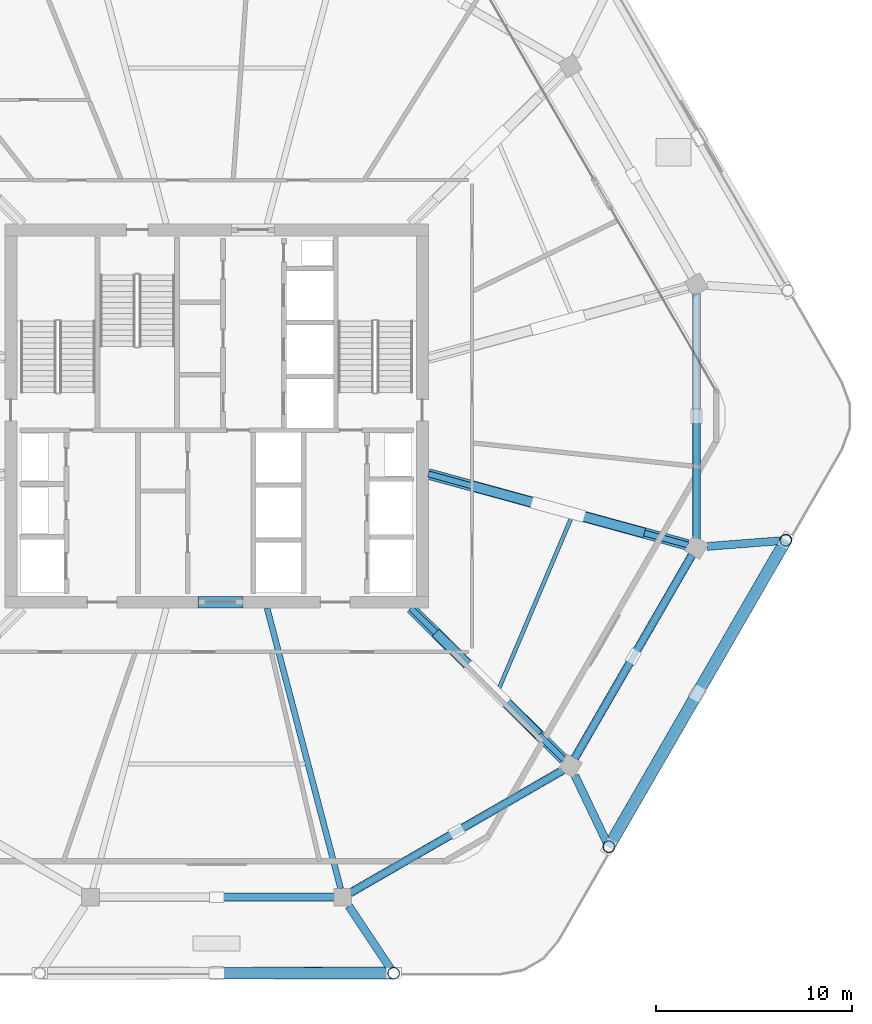
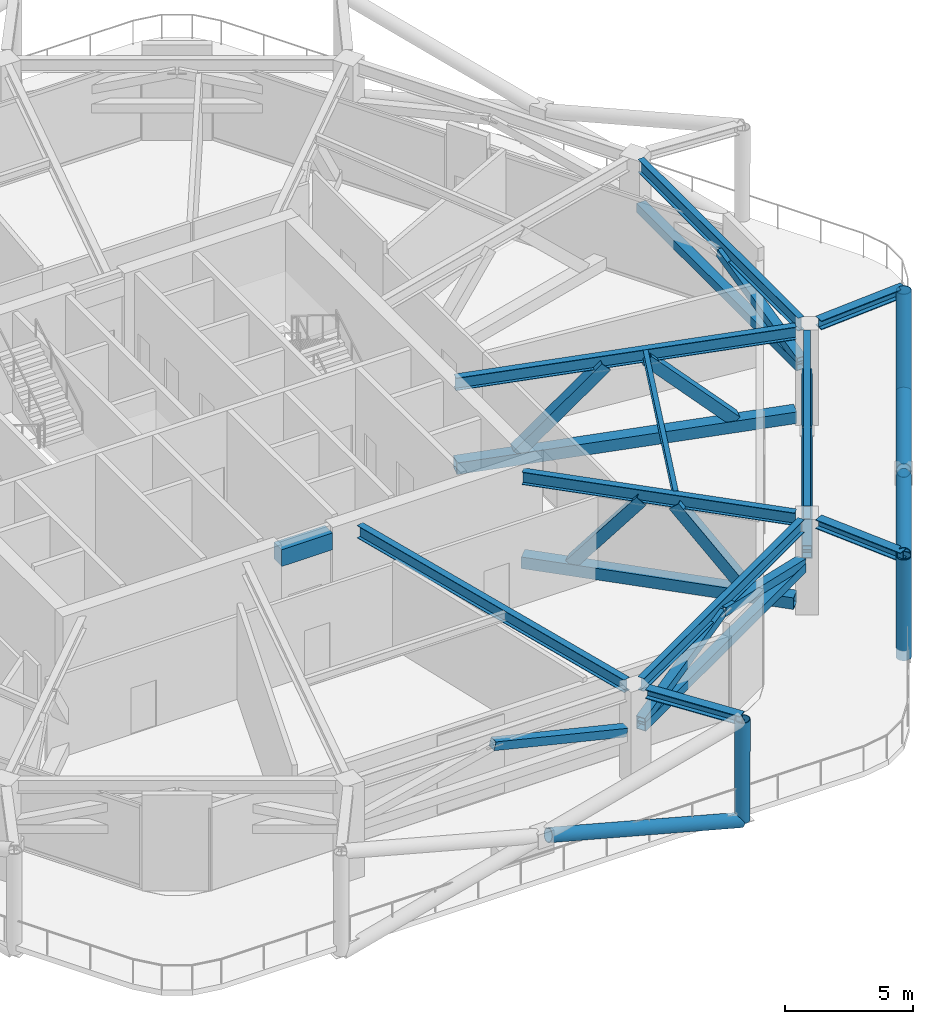
# One storey, part 5 of 20: 22 members, 11 beams.
"""IFC4 building model written with IfcOpenShell, lengths in metres."""

from ifc_helpers import new_model, si_unit, direction, frame, origin, origin_2d, place, context, subcontext, project, spatial, rectangle, hollow_rectangle, hollow_circle, i_section, extrude, material, material_profile, profile_set, type_object, element, save


model = new_model("IFC4")

# Units and contexts
model_context = context("Model", 3, precision=1e-05, world=origin(), true_north=direction((0.0, 1.0)))
body_context = subcontext(model_context, "Body", "Model", "MODEL_VIEW")
ifc_project = project(units=[si_unit("LENGTHUNIT", "METRE"), si_unit("AREAUNIT", "SQUARE_METRE"), si_unit("VOLUMEUNIT", "CUBIC_METRE"), si_unit("PLANEANGLEUNIT", "RADIAN"), si_unit("MASSUNIT", "GRAM", prefix="KILO")], contexts=[model_context])

# Site, building, storey
site_placement = place(None, origin())
site = spatial("IfcSite", under=ifc_project, at=site_placement, CompositionType="ELEMENT")
building_placement = place(site_placement, origin())
building = spatial("IfcBuilding", under=site, at=building_placement, Name="Zuhravey Tower", CompositionType="ELEMENT")
storey_placement = place(building_placement, frame((0.0, 0.0, 226.39990234375)))
storey = spatial("IfcBuildingStorey", under=building, at=storey_placement, Name="L57", CompositionType="ELEMENT", Elevation=226.39990234375)

# Members
ifc_material_1 = material(Name="Steel SM355", Category="steel")
ifc_material_profile_1 = material_profile(ifc_material_1, hollow_rectangle(XDim=0.419921875, YDim=0.419921875, WallThickness=0.028076171875, at=origin_2d()), Name="RHS-420x420x28")
ifc_profile_set_1 = profile_set([ifc_material_profile_1], Name="Steel SM355")
member_type_1 = type_object("IfcMemberType", Name="Belt Truss Chord RHS420x420", PredefinedType="CHORD", material=ifc_profile_set_1)
member_1_placement = place(storey_placement, frame((42.8349609375, 7.673828125, 2.27001953125), z_axis=(0.866024429177, 0.500001688065, 0.0), x_axis=(-0.500001688065, 0.866024429177, 0.0)))
element("IfcMember", 1, at=member_1_placement, inside=storey, type_object=member_type_1, Name="L57 Belt Truss Bottom Chord BTC1-09", PredefinedType="CHORD", context=body_context, shape_type="SweptSolid", body=[
    extrude(hollow_rectangle(XDim=0.419921875, YDim=0.419921875, WallThickness=0.028076171875, at=origin_2d()), origin(), (0.0, 0.0, 1.0), 12.48779296875),
])
member_2_placement = place(storey_placement, frame((54.27099609375, 14.539306640625, 2.27001953125), z_axis=(0.500019018537, 0.866014423149, 0.0), x_axis=(-0.866014423149, 0.500019018537, 0.0)))
element("IfcMember", 2, at=member_2_placement, inside=storey, type_object=member_type_1, Name="L57 Belt Truss Bottom Chord BTC1-10", PredefinedType="CHORD", context=body_context, shape_type="SweptSolid", body=[
    extrude(hollow_rectangle(XDim=0.419921875, YDim=0.419921875, WallThickness=0.028076171875, at=origin_2d()), origin(), (0.0, 0.0, 1.0), 11.9716796875),
])
member_3_placement = place(storey_placement, frame((60.484619140625, 25.756103515625, 2.27001953125), z_axis=(0.0, 1.0, 0.0), x_axis=(-1.0, 0.0, 0.0)))
element("IfcMember", 3, at=member_3_placement, inside=storey, type_object=member_type_1, Name="L57 Belt Truss Bottom Chord BTC1-11", PredefinedType="CHORD", context=body_context, shape_type="SweptSolid", body=[
    extrude(hollow_rectangle(XDim=0.419921875, YDim=0.419921875, WallThickness=0.028076171875, at=origin_2d()), origin(), (0.0, 0.0, 1.0), 12.48779296875),
])
ifc_material_profile_2 = material_profile(ifc_material_1, hollow_rectangle(XDim=0.39990234375, YDim=0.39990234375, WallThickness=0.02490234375, at=origin_2d()), Name="RHS-400x400x25")
ifc_profile_set_2 = profile_set([ifc_material_profile_2], Name="Steel SM355")
member_type_2 = type_object("IfcMemberType", Name="Belt Truss Diagonal RHS400x400", PredefinedType="BRACE", material=ifc_profile_set_2)
member_4_placement = place(storey_placement, frame((41.971435546875, 7.4462890625, 2.49365234375), z_axis=(-0.972261804388, 0.0, 0.233895240926), x_axis=(0.0, -1.0, 0.0)))
element("IfcMember", 4, at=member_4_placement, inside=storey, type_object=member_type_2, Name="L57 Belt Truss Diagonal BTD1-08.2", PredefinedType="BRACE", context=body_context, shape_type="SweptSolid", body=[
    extrude(hollow_rectangle(XDim=0.39990234375, YDim=0.39990234375, WallThickness=0.02490234375, at=origin_2d()), origin(), (0.0, 0.0, 1.0), 6.11669921875),
])
member_5_placement = place(storey_placement, frame((42.84765625, 7.68115234375, 2.493408203125), z_axis=(0.843861073225, 0.487223376581, 0.224748460302), x_axis=(-0.50001536203, 0.866016534331, 0.0)))
element("IfcMember", 5, at=member_5_placement, inside=storey, type_object=member_type_2, Name="L57 Belt Truss Diagonal BTD1-09.1", PredefinedType="BRACE", context=body_context, shape_type="SweptSolid", body=[
    extrude(hollow_rectangle(XDim=0.39990234375, YDim=0.39990234375, WallThickness=0.02490234375, at=origin_2d()), origin(), (0.0, 0.0, 1.0), 6.36767578125),
])
member_6_placement = place(storey_placement, frame((53.636962890625, 13.910400390625, 2.493408203125), z_axis=(-0.843872110687, -0.487207613585, 0.22474118908), x_axis=(0.499998324629, -0.866026371058, 0.0)))
element("IfcMember", 6, at=member_6_placement, inside=storey, type_object=member_type_2, Name="L57 Belt Truss Diagonal BTD1-09.2", PredefinedType="BRACE", context=body_context, shape_type="SweptSolid", body=[
    extrude(hollow_rectangle(XDim=0.39990234375, YDim=0.39990234375, WallThickness=0.02490234375, at=origin_2d()), origin(), (0.0, 0.0, 1.0), 6.367919921875),
])
member_7_placement = place(storey_placement, frame((54.2783203125, 14.552001953125, 2.49365234375), z_axis=(0.486154520979, 0.841989295572, 0.233897002704), x_axis=(-0.866011252126, 0.50002451059, 0.0)))
element("IfcMember", 7, at=member_7_placement, inside=storey, type_object=member_type_2, Name="L57 Belt Truss Diagonal BTD1-10.1", PredefinedType="BRACE", context=body_context, shape_type="SweptSolid", body=[
    extrude(hollow_rectangle(XDim=0.39990234375, YDim=0.39990234375, WallThickness=0.02490234375, at=origin_2d()), origin(), (0.0, 0.0, 1.0), 6.11669921875),
])
member_8_placement = place(storey_placement, frame((60.249755859375, 24.89453125, 2.49365234375), z_axis=(-0.486138183075, -0.842000912164, 0.233889142268), x_axis=(0.866021515814, -0.500006734102, 0.0)))
element("IfcMember", 8, at=member_8_placement, inside=storey, type_object=member_type_2, Name="L57 Belt Truss Diagonal BTD1-10.2", PredefinedType="BRACE", context=body_context, shape_type="SweptSolid", body=[
    extrude(hollow_rectangle(XDim=0.39990234375, YDim=0.39990234375, WallThickness=0.02490234375, at=origin_2d()), origin(), (0.0, 0.0, 1.0), 6.116943359375),
])
member_9_placement = place(storey_placement, frame((60.484619140625, 25.770751953125, 2.493408203125), z_axis=(0.0, 0.974416390723, 0.224750300312), x_axis=(-1.0, 0.0, 0.0)))
element("IfcMember", 9, at=member_9_placement, inside=storey, type_object=member_type_2, Name="L57 Belt Truss Diagonal BTD1-11.1", PredefinedType="BRACE", context=body_context, shape_type="SweptSolid", body=[
    extrude(hollow_rectangle(XDim=0.39990234375, YDim=0.39990234375, WallThickness=0.02490234375, at=origin_2d()), origin(), (0.0, 0.0, 1.0), 6.36767578125),
])

# Beams
ifc_material_2 = material(Name="Concrete C50/60", Category="concrete")
ifc_material_profile_3 = material_profile(ifc_material_2, rectangle(XDim=0.60009765625, YDim=0.800048828125, at=origin_2d()), Name="RC-600x800")
ifc_profile_set_3 = profile_set([ifc_material_profile_3], Name="Concrete C50/60")
beam_type_1 = type_object("IfcBeamType", Name="Core Coupling Beam RC600x800", PredefinedType="LINTEL", material=ifc_profile_set_3)
beam_1_placement = place(storey_placement, frame((35.052001953125, 22.5, 4.150146484375), z_axis=(1.0, 0.0, 0.0), x_axis=(0.0, 1.0, 0.0)))
element("IfcBeam", 10, at=beam_1_placement, inside=storey, type_object=beam_type_1, Name="L57 CB2 BM-L57-CB-S", PredefinedType="LINTEL", context=body_context, shape_type="SweptSolid", body=[
    extrude(rectangle(XDim=0.60009765625, YDim=0.800048828125, at=origin_2d()), origin(), (0.0, 0.0, 1.0), 2.2958984375),
])
ifc_material_3 = material(Name="Steel SM460", Category="steel")
ifc_material_profile_4 = material_profile(ifc_material_3, i_section(OverallWidth=0.406982421875, OverallDepth=0.427978515625, WebThickness=0.02001953125, FlangeThickness=0.034912109375, at=origin_2d()), Name="H-428x407x20x35")
ifc_profile_set_4 = profile_set([ifc_material_profile_4], Name="Steel SM460")
beam_type_2 = type_object("IfcBeamType", Name="Exoskeleton Node Tie Beam H428x407", PredefinedType="BEAM", material=ifc_profile_set_4)
beam_2_placement = place(storey_placement, frame((42.742431640625, 6.9931640625, 4.336181640625), z_axis=(0.553932866935, -0.832561336437, 0.0), x_axis=(0.832561336437, 0.553932866935, 0.0)))
element("IfcBeam", 11, at=beam_2_placement, inside=storey, type_object=beam_type_2, Name="L57 Exoskeleton Node Tie NT1-10", PredefinedType="BEAM", context=body_context, shape_type="SweptSolid", body=[
    extrude(i_section(OverallWidth=0.406982421875, OverallDepth=0.427978515625, WebThickness=0.02001953125, FlangeThickness=0.034912109375, at=origin_2d()), origin(), (0.0, 0.0, 1.0), 4.113037109375),
])
for number, where, z_axis, x_axis, name in (
    (12, (54.280517578125, 13.649169921875, 4.336181640625), (0.431011445347, -0.902346460058, 0.0), (0.902346460058, 0.431011445347, 0.0), "L57 Exoskeleton Node Tie NT1-11"),
    (13, (61.03271484375, 25.343994140625, 4.336181640625), (0.996960589137, 0.077907533055, 0.0), (-0.077907533055, 0.996960589137, 0.0), "L57 Exoskeleton Node Tie NT1-12"),
):
    element("IfcBeam", number, at=place(storey_placement, frame(where, z_axis=z_axis, x_axis=x_axis)), inside=storey, type_object=beam_type_2, Name=name, PredefinedType="BEAM", context=body_context, shape_type="SweptSolid", body=[
        extrude(i_section(OverallWidth=0.406982421875, OverallDepth=0.427978515625, WebThickness=0.02001953125, FlangeThickness=0.034912109375, at=origin_2d()), origin(), (0.0, 0.0, 1.0), 4.008056640625),
    ])

# Members
ifc_material_profile_5 = material_profile(ifc_material_1, hollow_circle(Radius=0.3046875, WallThickness=0.028076171875, at=origin_2d()), Name="CHS-609.6x28")
ifc_profile_set_5 = profile_set([ifc_material_profile_5], Name="Steel SM355")
member_type_3 = type_object("IfcMemberType", Name="Exoskeleton Zone 3 Diagrid CHS610x28", PredefinedType="BRACE", material=ifc_profile_set_5)
member_10_placement = place(storey_placement, frame((45.029052734375, 3.5712890625, -0.475830078125), z_axis=(0.0, -0.00310652402, 0.999995174743), x_axis=(1.0, 0.0, 0.0)))
element("IfcMember", 14, at=member_10_placement, inside=storey, type_object=member_type_3, Name="L57 Face 5 Diagrid Brace 4", PredefinedType="BRACE", context=body_context, shape_type="SweptSolid", body=[
    extrude(hollow_circle(Radius=0.3046875, WallThickness=0.028076171875, at=origin_2d()), origin(), (0.0, 0.0, 1.0), 4.7939453125),
])
member_11_placement = place(storey_placement, frame((44.970947265625, 3.5712890625, -0.478515625), z_axis=(-0.966034705264, -0.000787424994, 0.258411161111), x_axis=(0.000815110191, -0.999999667798, 0.0)))
element("IfcMember", 15, at=member_11_placement, inside=storey, type_object=member_type_3, Name="L57 Face 5 Split Diagrid Brace 3A", PredefinedType="BRACE", context=body_context, shape_type="SweptSolid", body=[
    extrude(hollow_circle(Radius=0.3046875, WallThickness=0.028076171875, at=origin_2d()), origin(), (0.0, 0.0, 1.0), 8.991455078125),
])
member_12_placement = place(storey_placement, frame((56.014404296875, 10.018798828125, -0.475830078125), z_axis=(0.0, 0.0, 1.0), x_axis=(1.0, 0.0, 0.0)))
element("IfcMember", 16, at=member_12_placement, inside=storey, type_object=member_type_3, Name="L57 Face 6 Diagrid Brace 1", PredefinedType="BRACE", context=body_context, shape_type="SweptSolid", body=[
    extrude(hollow_circle(Radius=0.3046875, WallThickness=0.028076171875, at=origin_2d()), origin(), (0.0, 0.0, 1.0), 4.7939453125),
])
member_13_placement = place(storey_placement, frame((56.04345703125, 10.069091796875, -0.478515625), z_axis=(0.483015483951, 0.836617784081, 0.258392580433), x_axis=(-0.866028101651, 0.499995327129, 0.0)))
element("IfcMember", 17, at=member_13_placement, inside=storey, type_object=member_type_3, Name="L57 Face 6 Diagrid Brace 2", PredefinedType="BRACE", context=body_context, shape_type="SweptSolid", body=[
    extrude(hollow_circle(Radius=0.3046875, WallThickness=0.028076171875, at=origin_2d()), origin(), (0.0, 0.0, 1.0), 18.57275390625),
])
member_14_placement = place(storey_placement, frame((65.04345703125, 25.657470703125, -0.475830078125), z_axis=(0.0, 0.0, 1.0), x_axis=(1.0, 0.0, 0.0)))
element("IfcMember", 18, at=member_14_placement, inside=storey, type_object=member_type_3, Name="L57 Face 6 Diagrid Brace 4", PredefinedType="BRACE", context=body_context, shape_type="SweptSolid", body=[
    extrude(hollow_circle(Radius=0.3046875, WallThickness=0.028076171875, at=origin_2d()), origin(), (0.0, 0.0, 1.0), 4.7939453125),
])
member_15_placement = place(storey_placement, frame((65.014404296875, 25.607421875, -0.478515625), z_axis=(-0.483011487594, -0.83661532159, 0.258408023353), x_axis=(0.866029255696, -0.499993328235, 0.0)))
element("IfcMember", 19, at=member_15_placement, inside=storey, type_object=member_type_3, Name="L57 Face 6 Split Diagrid Brace 3A", PredefinedType="BRACE", context=body_context, shape_type="SweptSolid", body=[
    extrude(hollow_circle(Radius=0.3046875, WallThickness=0.028076171875, at=origin_2d()), origin(), (0.0, 0.0, 1.0), 8.991455078125),
])
member_16_placement = place(storey_placement, frame((60.386474609375, 17.59130859375, 1.997314453125), z_axis=(-0.483025848948, -0.836613043562, 0.258388553521), x_axis=(0.866022228906, -0.50000549901, 0.0)))
element("IfcMember", 20, at=member_16_placement, inside=storey, type_object=member_type_3, Name="L57 Face 6 Split Diagrid Brace 3B", PredefinedType="BRACE", context=body_context, shape_type="SweptSolid", body=[
    extrude(hollow_circle(Radius=0.3046875, WallThickness=0.028076171875, at=origin_2d()), origin(), (0.0, 0.0, 1.0), 8.9912109375),
])
ifc_material_profile_6 = material_profile(ifc_material_3, hollow_rectangle(XDim=0.550048828125, YDim=0.550048828125, WallThickness=0.034912109375, at=origin_2d()), Name="RHS-550x550x35")
ifc_profile_set_6 = profile_set([ifc_material_profile_6], Name="Steel SM460")
member_type_4 = type_object("IfcMemberType", Name="Outrigger Truss Chord RHS550x550", PredefinedType="CHORD", material=ifc_profile_set_6)
member_17_placement = place(storey_placement, frame((45.91015625, 22.193359375, 0.320068359375), z_axis=(0.710835092384, -0.703358707514, 0.0), x_axis=(0.703358707514, 0.710835092384, 0.0)))
element("IfcMember", 21, at=member_17_placement, inside=storey, type_object=member_type_4, Name="L57 Outrigger Bottom Chord OTC1-07", PredefinedType="CHORD", context=body_context, shape_type="SweptSolid", body=[
    extrude(hollow_rectangle(XDim=0.550048828125, YDim=0.550048828125, WallThickness=0.034912109375, at=origin_2d()), origin(), (0.0, 0.0, 1.0), 10.97216796875),
])
member_18_placement = place(storey_placement, frame((46.807861328125, 29.04296875, 0.320068359375), z_axis=(0.964553096475, -0.263888847967, 0.0), x_axis=(0.263888847967, 0.964553096475, 0.0)))
element("IfcMember", 22, at=member_18_placement, inside=storey, type_object=member_type_4, Name="L57 Outrigger Bottom Chord OTC1-08", PredefinedType="CHORD", context=body_context, shape_type="SweptSolid", body=[
    extrude(hollow_rectangle(XDim=0.550048828125, YDim=0.550048828125, WallThickness=0.034912109375, at=origin_2d()), origin(), (0.0, 0.0, 1.0), 13.708984375),
])
ifc_material_profile_7 = material_profile(ifc_material_3, hollow_rectangle(XDim=0.5, YDim=0.5, WallThickness=0.031982421875, at=origin_2d()), Name="RHS-500x500x32")
ifc_profile_set_7 = profile_set([ifc_material_profile_7], Name="Steel SM460")
member_type_5 = type_object("IfcMemberType", Name="Outrigger Truss Diagonal RHS500x500", PredefinedType="BRACE", material=ifc_profile_set_7)
for number, where, z_axis, x_axis, name in (
    (23, (47.314208984375, 20.804443359375, 0.56005859375), (0.447513072519, -0.442878981702, 0.776910713977), (0.703417081124, 0.710777327989, 0.0), "L57 Outrigger Diagonal OTD1-07.1"),
    (24, (52.305419921875, 15.865234375, 0.56005859375), (-0.447513072519, 0.442878981702, 0.776910713977), (-0.703417081124, -0.710777327989, 0.0), "L57 Outrigger Diagonal OTD1-07.2"),
):
    element("IfcMember", number, at=place(storey_placement, frame(where, z_axis=z_axis, x_axis=x_axis)), inside=storey, type_object=member_type_5, Name=name, PredefinedType="BRACE", context=body_context, shape_type="SweptSolid", body=[
        extrude(hollow_rectangle(XDim=0.5, YDim=0.5, WallThickness=0.031982421875, at=origin_2d()), origin(), (0.0, 0.0, 1.0), 4.53076171875),
    ])
for number, where, z_axis, x_axis, name in (
    (25, (49.18798828125, 28.391845703125, 0.56005859375), (0.686292632713, -0.187777695913, 0.702667744529), (0.263911332088, 0.964546944838, 0.0), "L57 Outrigger Diagonal OTD1-08.1"),
    (26, (57.65087890625, 26.076416015625, 0.56005859375), (-0.686292632713, 0.187777695913, 0.702667744529), (-0.263911332088, -0.964546944838, 0.0), "L57 Outrigger Diagonal OTD1-08.2"),
):
    element("IfcMember", number, at=place(storey_placement, frame(where, z_axis=z_axis, x_axis=x_axis)), inside=storey, type_object=member_type_5, Name=name, PredefinedType="BRACE", context=body_context, shape_type="SweptSolid", body=[
        extrude(hollow_rectangle(XDim=0.5, YDim=0.5, WallThickness=0.031982421875, at=origin_2d()), origin(), (0.0, 0.0, 1.0), 5.009521484375),
    ])

# Beams
ifc_material_profile_8 = material_profile(ifc_material_1, i_section(OverallWidth=0.280029296875, OverallDepth=0.6201171875, WebThickness=0.011962890625, FlangeThickness=0.02001953125, at=origin_2d()), Name="H-620x280x12x20")
ifc_profile_set_8 = profile_set([ifc_material_profile_8], Name="Steel SM355")
beam_type_3 = type_object("IfcBeamType", Name="Perimeter Ring Beam H620x280", PredefinedType="BEAM", material=ifc_profile_set_8)
beam_3_placement = place(storey_placement, frame((42.833251953125, 7.6728515625, 4.239990234375), z_axis=(0.866025131093, 0.500000472315, 0.0), x_axis=(-0.500000472315, 0.866025131093, 0.0)))
element("IfcBeam", 27, at=beam_3_placement, inside=storey, type_object=beam_type_3, Name="L57 PB3 BM-L57-PB-10", PredefinedType="BEAM", context=body_context, shape_type="SweptSolid", body=[
    extrude(i_section(OverallWidth=0.280029296875, OverallDepth=0.6201171875, WebThickness=0.011962890625, FlangeThickness=0.02001953125, at=origin_2d()), origin(), (0.0, 0.0, 1.0), 12.49169921875),
])
beam_4_placement = place(storey_placement, frame((54.27001953125, 14.53759765625, 4.239990234375), z_axis=(0.500017744717, 0.866015158625, 0.0), x_axis=(-0.866015158625, 0.500017744717, 0.0)))
element("IfcBeam", 28, at=beam_4_placement, inside=storey, type_object=beam_type_3, Name="L57 PB3 BM-L57-PB-11", PredefinedType="BEAM", context=body_context, shape_type="SweptSolid", body=[
    extrude(i_section(OverallWidth=0.280029296875, OverallDepth=0.6201171875, WebThickness=0.011962890625, FlangeThickness=0.02001953125, at=origin_2d()), origin(), (0.0, 0.0, 1.0), 11.9755859375),
])
beam_5_placement = place(storey_placement, frame((60.484619140625, 25.754150390625, 4.239990234375), z_axis=(0.0, 1.0, 0.0), x_axis=(-1.0, 0.0, 0.0)))
element("IfcBeam", 29, at=beam_5_placement, inside=storey, type_object=beam_type_3, Name="L57 PB3 BM-L57-PB-12", PredefinedType="BEAM", context=body_context, shape_type="SweptSolid", body=[
    extrude(i_section(OverallWidth=0.280029296875, OverallDepth=0.6201171875, WebThickness=0.011962890625, FlangeThickness=0.02001953125, at=origin_2d()), origin(), (0.0, 0.0, 1.0), 12.49169921875),
])
ifc_material_profile_9 = material_profile(ifc_material_1, i_section(OverallWidth=0.300048828125, OverallDepth=0.60009765625, WebThickness=0.011962890625, FlangeThickness=0.02001953125, at=origin_2d()), Name="H-600x300x12x20")
ifc_profile_set_9 = profile_set([ifc_material_profile_9], Name="Steel SM355")
beam_type_4 = type_object("IfcBeamType", Name="Radial Primary Girder H600x300", PredefinedType="BEAM", material=ifc_profile_set_9)
beam_6_placement = place(storey_placement, frame((38.571533203125, 22.197021484375, 4.25), z_axis=(0.253731415841, -0.967274712073, 0.0), x_axis=(0.967274712073, 0.253731415841, 0.0)))
element("IfcBeam", 30, at=beam_6_placement, inside=storey, type_object=beam_type_4, Name="L57 RG3 BM-L57-RAD-10", PredefinedType="BEAM", context=body_context, shape_type="SweptSolid", body=[
    extrude(i_section(OverallWidth=0.300048828125, OverallDepth=0.60009765625, WebThickness=0.011962890625, FlangeThickness=0.02001953125, at=origin_2d()), origin(), (0.0, 0.0, 1.0), 14.796630859375),
])
beam_7_placement = place(storey_placement, frame((45.90673828125, 22.197021484375, 4.25), z_axis=(0.710816516282, -0.703377480576, 0.0), x_axis=(0.703377480576, 0.710816516282, 0.0)))
element("IfcBeam", 31, at=beam_7_placement, inside=storey, type_object=beam_type_4, Name="L57 RG3 BM-L57-RAD-11", PredefinedType="BEAM", context=body_context, shape_type="SweptSolid", body=[
    extrude(i_section(OverallWidth=0.300048828125, OverallDepth=0.60009765625, WebThickness=0.011962890625, FlangeThickness=0.02001953125, at=origin_2d()), origin(), (0.0, 0.0, 1.0), 10.994384765625),
])
beam_8_placement = place(storey_placement, frame((46.802978515625, 29.04443359375, 4.25), z_axis=(0.964548913045, -0.26390413855, 0.0), x_axis=(0.26390413855, 0.964548913045, 0.0)))
element("IfcBeam", 32, at=beam_8_placement, inside=storey, type_object=beam_type_4, Name="L57 RG3 BM-L57-RAD-12", PredefinedType="BEAM", context=body_context, shape_type="SweptSolid", body=[
    extrude(i_section(OverallWidth=0.300048828125, OverallDepth=0.60009765625, WebThickness=0.011962890625, FlangeThickness=0.02001953125, at=origin_2d()), origin(), (0.0, 0.0, 1.0), 13.7314453125),
])
ifc_material_profile_10 = material_profile(ifc_material_1, i_section(OverallWidth=0.199951171875, OverallDepth=0.39990234375, WebThickness=0.008056640625, FlangeThickness=0.012939453125, at=origin_2d()), Name="H-400x200x8x13")
ifc_profile_set_10 = profile_set([ifc_material_profile_10], Name="Steel SM355")
beam_type_5 = type_object("IfcBeamType", Name="Secondary Floor Joist H400x200", PredefinedType="JOIST", material=ifc_profile_set_10)
beam_9_placement = place(storey_placement, frame((50.36083984375, 17.990966796875, 4.35009765625), z_axis=(0.390413493754, 0.920639616731, 0.0), x_axis=(-0.920639616731, 0.390413493754, 0.0)))
element("IfcBeam", 33, at=beam_9_placement, inside=storey, type_object=beam_type_5, Name="L57 SJ2 BM-L57-SJ-11-1", PredefinedType="JOIST", context=body_context, shape_type="SweptSolid", body=[
    extrude(i_section(OverallWidth=0.199951171875, OverallDepth=0.39990234375, WebThickness=0.008056640625, FlangeThickness=0.012939453125, at=origin_2d()), origin(), (0.0, 0.0, 1.0), 9.656494140625),
])

save(model, "model.ifc")
